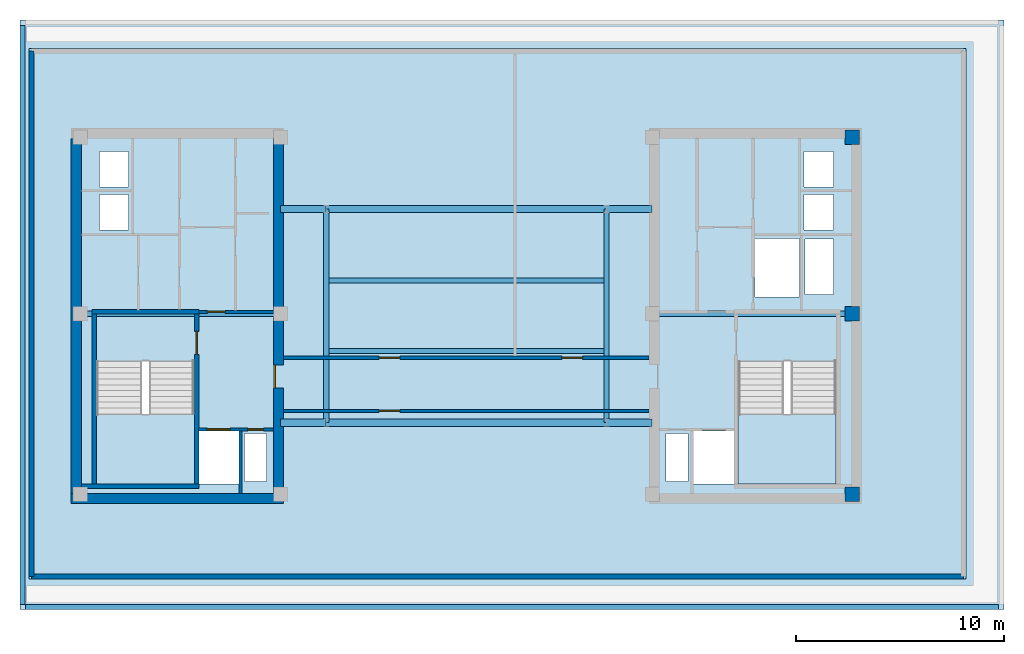
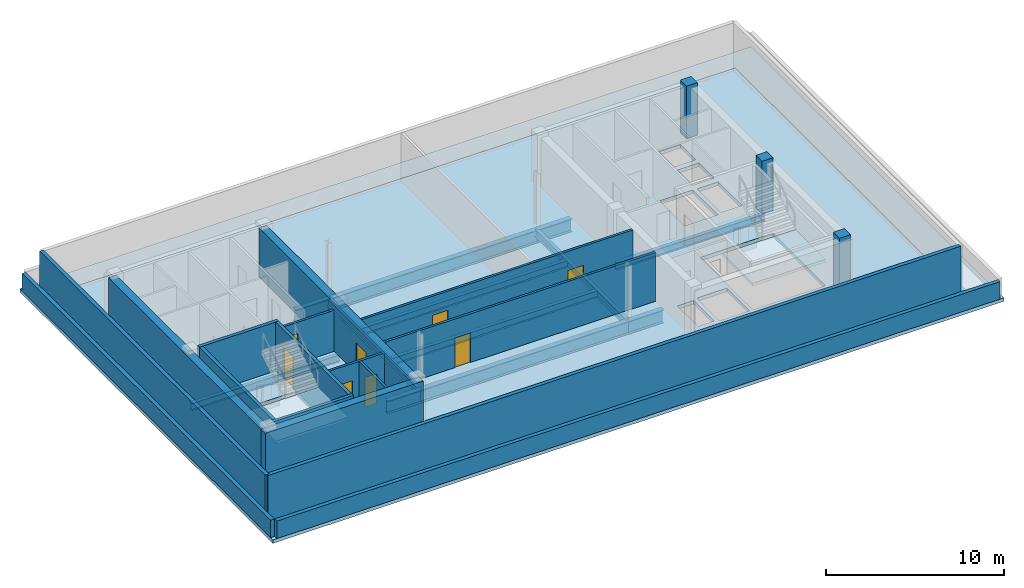
# One storey, part 2 of 7: 16 walls, 12 beams, 8 doors, 4 slabs, 3 columns, 8 openings, 2 elements without a shape of their own.
"""IFC4 building model written with IfcOpenShell, lengths in metres."""

from ifc_helpers import new_model, si_unit, direction, frame, frame_2d, origin, origin_2d, place, context, subcontext, project, spatial, polyline, rectangle, i_section, outline, extrude, material, layer, layer_set, material_profile, profile_set, type_object, element, fill, aggregate, save


model = new_model("IFC4")

# Units and contexts
model_context = context("Model", 3, precision=1e-05, world=origin(), true_north=direction((0.0, 1.0)))
body_context = subcontext(model_context, "Body", "Model", "MODEL_VIEW")
ifc_project = project(units=[si_unit("LENGTHUNIT", "METRE"), si_unit("AREAUNIT", "SQUARE_METRE"), si_unit("VOLUMEUNIT", "CUBIC_METRE"), si_unit("PLANEANGLEUNIT", "RADIAN"), si_unit("MASSUNIT", "GRAM", prefix="KILO")], contexts=[model_context])

# Site, building, storey
site_placement = place(None, origin())
site = spatial("IfcSite", under=ifc_project, at=site_placement, CompositionType="ELEMENT")
building_placement = place(site_placement, origin())
building = spatial("IfcBuilding", under=site, at=building_placement, Name="Velakula Bourse", CompositionType="ELEMENT")
storey_placement = place(building_placement, frame((0.0, 0.0, 294.14990234375)))
storey = spatial("IfcBuildingStorey", under=building, at=storey_placement, Name="L80", CompositionType="ELEMENT", Elevation=294.14990234375)

# Columns
ifc_material_1 = material(Name="Concrete M50 (fck 50 MPa)", Category="concrete")
ifc_material_profile_1 = material_profile(ifc_material_1, rectangle(XDim=0.699951171875, YDim=0.699951171875, at=origin_2d()), Name="Concrete M50 (fck 50 MPa)")
ifc_profile_set_1 = profile_set([ifc_material_profile_1], Name="Concrete M50 (fck 50 MPa)")
column_type = type_object("IfcColumnType", Name="COL-RC-700", PredefinedType="COLUMN", material=ifc_profile_set_1)
for number, where, z_axis, x_axis, name in (
    (1, (18.60009765625, -8.60009765625, 0.0), (0.0, 0.0, 1.0), (1.0, 0.0, 0.0), "L80 Core Boundary Column 10"),
    (2, (18.60009765625, 0.10009765625, 0.0), (0.0, 0.0, 1.0), (1.0, 0.0, 0.0), "L80 Core Boundary Column 11"),
    (3, (18.60009765625, 8.60009765625, 0.0), (0.0, 0.0, 1.0), (1.0, 0.0, 0.0), "L80 Core Boundary Column 12"),
):
    element("IfcColumn", number, at=place(storey_placement, frame(where, z_axis=z_axis, x_axis=x_axis)), inside=storey, type_object=column_type, Name=name, PredefinedType="COLUMN", context=body_context, shape_type="SweptSolid", body=[
        extrude(rectangle(XDim=0.699951171875, YDim=0.699951171875, at=origin_2d()), origin(), (0.0, 0.0, 1.0), 3.60009765625),
    ])

# Beams
ifc_material_2 = material(Name="Steel IS 2062 Grade 350 (E350)", Category="steel")
ifc_material_profile_2 = material_profile(ifc_material_2, i_section(OverallWidth=0.25, OverallDepth=0.5, WebThickness=0.010009765625, FlangeThickness=0.0146484375, at=origin_2d()), Name="Steel IS 2062 Grade 350 (E350)")
ifc_profile_set_2 = profile_set([ifc_material_profile_2], Name="Steel IS 2062 Grade 350 (E350)")
beam_type_1 = type_object("IfcBeamType", Name="BM-EDG-500", PredefinedType="BEAM", material=ifc_profile_set_2)
for number, where, z_axis, x_axis, name in (
    (4, (-18.60009765625, 0.10009765625, -0.5), (1.0, 0.0, 0.0), (0.0, 1.0, 0.0), "L80 Primary Backbone Girder CRW-M"),
    (5, (8.949951171875, 0.10009765625, -0.5), (1.0, 0.0, 0.0), (0.0, 1.0, 0.0), "L80 Primary Backbone Girder CRE-M"),
):
    element("IfcBeam", number, at=place(storey_placement, frame(where, z_axis=z_axis, x_axis=x_axis)), inside=storey, type_object=beam_type_1, Name=name, PredefinedType="BEAM", context=body_context, shape_type="SweptSolid", body=[
        extrude(i_section(OverallWidth=0.25, OverallDepth=0.5, WebThickness=0.010009765625, FlangeThickness=0.0146484375, at=origin_2d()), origin(), (0.0, 0.0, 1.0), 9.650146484375),
    ])
for number, where, z_axis, x_axis, name in (
    (6, (-6.75, -5.14990234375, -0.5), (0.0, 1.0, 0.0), (-1.0, 0.0, 0.0), "L80 Primary Backbone Girder SPN-W"),
    (7, (6.75, -5.14990234375, -0.5), (0.0, 1.0, 0.0), (-1.0, 0.0, 0.0), "L80 Primary Backbone Girder SPN-E"),
):
    element("IfcBeam", number, at=place(storey_placement, frame(where, z_axis=z_axis, x_axis=x_axis)), inside=storey, type_object=beam_type_1, Name=name, PredefinedType="BEAM", context=body_context, shape_type="SweptSolid", body=[
        extrude(i_section(OverallWidth=0.25, OverallDepth=0.5, WebThickness=0.010009765625, FlangeThickness=0.0146484375, at=origin_2d()), origin(), (0.0, 0.0, 1.0), 10.2998046875),
    ])
for number, where, z_axis, x_axis, name in (
    (8, (-6.75, -1.699951171875, -0.5), (1.0, 0.0, 0.0), (0.0, 1.0, 0.0), "L80 Crown Mechanical Floor Girder 1"),
    (9, (-6.75, 1.699951171875, -0.5), (1.0, 0.0, 0.0), (0.0, 1.0, 0.0), "L80 Crown Mechanical Floor Girder 2"),
):
    element("IfcBeam", number, at=place(storey_placement, frame(where, z_axis=z_axis, x_axis=x_axis)), inside=storey, type_object=beam_type_1, Name=name, PredefinedType="BEAM", context=body_context, shape_type="SweptSolid", body=[
        extrude(i_section(OverallWidth=0.25, OverallDepth=0.5, WebThickness=0.010009765625, FlangeThickness=0.0146484375, at=origin_2d()), origin(), (0.0, 0.0, 1.0), 13.5),
    ])
ifc_material_profile_3 = material_profile(ifc_material_2, i_section(OverallWidth=0.35009765625, OverallDepth=0.89990234375, WebThickness=0.02001953125, FlangeThickness=0.031982421875, at=origin_2d()), Name="Steel IS 2062 Grade 350 (E350)")
ifc_profile_set_3 = profile_set([ifc_material_profile_3], Name="Steel IS 2062 Grade 350 (E350)")
beam_type_2 = type_object("IfcBeamType", Name="BM-LNK-900", PredefinedType="BEAM", material=ifc_profile_set_3)
beam_1_placement = place(storey_placement, frame((-8.949951171875, -5.14990234375, -0.699951171875), z_axis=(1.0, 0.0, 0.0), x_axis=(0.0, 1.0, 0.0)))
element("IfcBeam", 10, at=beam_1_placement, inside=storey, type_object=beam_type_2, Name="L80 Primary Backbone Girder LNK-S1", PredefinedType="BEAM", context=body_context, shape_type="SweptSolid", body=[
    extrude(i_section(OverallWidth=0.35009765625, OverallDepth=0.89990234375, WebThickness=0.02001953125, FlangeThickness=0.031982421875, at=origin_2d()), origin(), (0.0, 0.0, 1.0), 2.199951171875),
])
beam_2_placement = place(storey_placement, frame((-6.75, -5.14990234375, -0.699951171875), z_axis=(1.0, 0.0, 0.0), x_axis=(0.0, 1.0, 0.0)))
element("IfcBeam", 11, at=beam_2_placement, inside=storey, type_object=beam_type_2, Name="L80 Primary Backbone Girder LNK-S2", PredefinedType="BEAM", context=body_context, shape_type="SweptSolid", body=[
    extrude(i_section(OverallWidth=0.35009765625, OverallDepth=0.89990234375, WebThickness=0.02001953125, FlangeThickness=0.031982421875, at=origin_2d()), origin(), (0.0, 0.0, 1.0), 13.5),
])
for number, where, z_axis, x_axis, name in (
    (12, (6.75, -5.14990234375, -0.699951171875), (1.0, 0.0, 0.0), (0.0, 1.0, 0.0), "L80 Primary Backbone Girder LNK-S3"),
    (13, (-8.949951171875, 5.14990234375, -0.699951171875), (1.0, 0.0, 0.0), (0.0, 1.0, 0.0), "L80 Primary Backbone Girder LNK-N1"),
):
    element("IfcBeam", number, at=place(storey_placement, frame(where, z_axis=z_axis, x_axis=x_axis)), inside=storey, type_object=beam_type_2, Name=name, PredefinedType="BEAM", context=body_context, shape_type="SweptSolid", body=[
        extrude(i_section(OverallWidth=0.35009765625, OverallDepth=0.89990234375, WebThickness=0.02001953125, FlangeThickness=0.031982421875, at=origin_2d()), origin(), (0.0, 0.0, 1.0), 2.199951171875),
    ])
beam_3_placement = place(storey_placement, frame((-6.75, 5.14990234375, -0.699951171875), z_axis=(1.0, 0.0, 0.0), x_axis=(0.0, 1.0, 0.0)))
element("IfcBeam", 14, at=beam_3_placement, inside=storey, type_object=beam_type_2, Name="L80 Primary Backbone Girder LNK-N2", PredefinedType="BEAM", context=body_context, shape_type="SweptSolid", body=[
    extrude(i_section(OverallWidth=0.35009765625, OverallDepth=0.89990234375, WebThickness=0.02001953125, FlangeThickness=0.031982421875, at=origin_2d()), origin(), (0.0, 0.0, 1.0), 13.5),
])
beam_4_placement = place(storey_placement, frame((6.75, 5.14990234375, -0.699951171875), z_axis=(1.0, 0.0, 0.0), x_axis=(0.0, 1.0, 0.0)))
element("IfcBeam", 15, at=beam_4_placement, inside=storey, type_object=beam_type_2, Name="L80 Primary Backbone Girder LNK-N3", PredefinedType="BEAM", context=body_context, shape_type="SweptSolid", body=[
    extrude(i_section(OverallWidth=0.35009765625, OverallDepth=0.89990234375, WebThickness=0.02001953125, FlangeThickness=0.031982421875, at=origin_2d()), origin(), (0.0, 0.0, 1.0), 2.199951171875),
])

# Slabs
ifc_layer_1 = layer(ifc_material_1, 0.239990234375, Name="Concrete M50 (fck 50 MPa)", Category="concrete")
ifc_layer_set_1 = layer_set([ifc_layer_1], Name="Concrete M50 (fck 50 MPa)")
slab_type_1 = type_object("IfcSlabType", Name="SLB-CRN-ROOF-240", PredefinedType="ROOF", material=ifc_layer_set_1)
slab_1_placement = place(storey_placement, frame((0.0, 0.0, -0.239990234375)))
element("IfcSlab", 16, at=slab_1_placement, inside=storey, type_object=slab_type_1, Name="L80 Crown Step 3 Closed Roof", PredefinedType="ROOF", context=body_context, shape_type="SweptSolid", body=[
    extrude(outline(polyline([(-21.5, 14.25), (25.89990234375, 14.25), (25.89990234375, -14.14990234375), (-21.5, -14.14990234375), (-21.5, 14.25)]), holes=[polyline([(24.080078125, -12.679931640625), (24.080078125, 12.8798828125), (-21.080078125, 12.8798828125), (-21.080078125, -12.679931640625), (24.080078125, -12.679931640625)])]), origin(), (0.0, 0.0, 1.0), 0.239990234375),
])
ifc_layer_2 = layer(ifc_material_1, 0.25, Name="Concrete M50 (fck 50 MPa)", Category="concrete")
ifc_layer_set_2 = layer_set([ifc_layer_2], Name="Concrete M50 (fck 50 MPa)")
slab_type_2 = type_object("IfcSlabType", Name="SLB-POD-250", PredefinedType="FLOOR", material=ifc_layer_set_2)
slab_2_placement = place(storey_placement, frame((0.0, 0.0, -0.25)))
element("IfcSlab", 17, at=slab_2_placement, inside=storey, type_object=slab_type_2, Name="L80 Suspended Structural Floor Slab", PredefinedType="FLOOR", context=body_context, shape_type="SweptSolid", body=[
    extrude(outline(polyline([(-21.10009765625, -12.699951171875), (24.10009765625, -12.699951171875), (24.10009765625, 12.89990234375), (-21.10009765625, 12.89990234375), (-21.10009765625, -12.699951171875)]), holes=[polyline([(-17.820068359375, -8.10009765625), (-13.10009765625, -8.10009765625), (-13.10009765625, -2.199951171875), (-17.820068359375, -2.199951171875), (-17.820068359375, -8.10009765625)]), polyline([(13.10009765625, -8.10009765625), (17.820068359375, -8.10009765625), (17.820068359375, -2.199951171875), (13.10009765625, -2.199951171875), (13.10009765625, -8.10009765625)]), polyline([(-12.89990234375, -8.10009765625), (-10.949951171875, -8.10009765625), (-10.949951171875, -5.550048828125), (-12.89990234375, -5.550048828125), (-12.89990234375, -8.10009765625)]), polyline([(10.949951171875, -8.10009765625), (12.89990234375, -8.10009765625), (12.89990234375, -5.550048828125), (10.949951171875, -5.550048828125), (10.949951171875, -8.10009765625)]), polyline([(13.89990234375, 0.919921875), (16.050048828125, 0.919921875), (16.050048828125, 3.719970703125), (13.89990234375, 3.719970703125), (13.89990234375, 0.919921875)]), polyline([(-10.679931640625, -7.97998046875), (-9.6201171875, -7.97998046875), (-9.6201171875, -5.669921875), (-10.679931640625, -5.669921875), (-10.679931640625, -7.97998046875)]), polyline([(-17.679931640625, 4.139892578125), (-16.27001953125, 4.139892578125), (-16.27001953125, 5.85009765625), (-17.679931640625, 5.85009765625), (-17.679931640625, 4.139892578125)]), polyline([(-17.679931640625, 6.2099609375), (-16.27001953125, 6.2099609375), (-16.27001953125, 7.919921875), (-17.679931640625, 7.919921875), (-17.679931640625, 6.2099609375)]), polyline([(9.6201171875, -7.97998046875), (10.679931640625, -7.97998046875), (10.679931640625, -5.669921875), (9.6201171875, -5.669921875), (9.6201171875, -7.97998046875)]), polyline([(16.27001953125, 4.139892578125), (17.679931640625, 4.139892578125), (17.679931640625, 5.85009765625), (16.27001953125, 5.85009765625), (16.27001953125, 4.139892578125)]), polyline([(16.27001953125, 6.2099609375), (17.679931640625, 6.2099609375), (17.679931640625, 7.919921875), (16.27001953125, 7.919921875), (16.27001953125, 6.2099609375)]), polyline([(16.320068359375, 1.0400390625), (17.679931640625, 1.0400390625), (17.679931640625, 3.699951171875), (16.320068359375, 3.699951171875), (16.320068359375, 1.0400390625)])]), origin(), (0.0, 0.0, 1.0), 0.25),
])

# Stair, slab
ifc_material_3 = material(Name="Concrete M45 (fck 45 MPa)", Category="concrete")
stair_type = type_object("IfcStairType", Name="STR-DOG-390", PredefinedType="HALF_TURN_STAIR", material=ifc_material_3)
stair_1_placement = place(storey_placement, origin())
stair_1 = element("IfcStair", 18, at=stair_1_placement, inside=storey, type_object=stair_type, Name="L80 West Core Exit Stair ST-W1", PredefinedType="HALF_TURN_STAIR")
ifc_layer_3 = layer(ifc_material_3, 0.199951171875, Name="Concrete M45 (fck 45 MPa)", Category="concrete")
ifc_layer_set_3 = layer_set([ifc_layer_3], Name="Concrete M45 (fck 45 MPa)")
slab_type_3 = type_object("IfcSlabType", Name="SLB-STAIR-LND-200", PredefinedType="LANDING", material=ifc_layer_set_3)
slab_3_placement = place(storey_placement, frame((0.0, 0.0, 1.60009765625)))
slab_3 = element("IfcSlab", 19, at=slab_3_placement, type_object=slab_type_3, Name="ST-W1 landing 1", PredefinedType="LANDING", context=body_context, shape_type="SweptSolid", body=[
    extrude(outline(polyline([(-17.820068359375, -4.719970703125), (-17.820068359375, -8.10009765625), (-13.10009765625, -8.10009765625), (-13.10009765625, -4.719970703125), (-17.820068359375, -4.719970703125)])), origin(), (0.0, 0.0, 1.0), 0.199951171875),
])
aggregate(stair_1, [slab_3])

stair_2_placement = place(storey_placement, origin())
stair_2 = element("IfcStair", 20, at=stair_2_placement, inside=storey, type_object=stair_type, Name="L80 East Core Exit Stair ST-E1", PredefinedType="HALF_TURN_STAIR")
slab_4_placement = place(storey_placement, frame((0.0, 0.0, 1.60009765625)))
slab_4 = element("IfcSlab", 21, at=slab_4_placement, type_object=slab_type_3, Name="ST-E1 landing 1", PredefinedType="LANDING", context=body_context, shape_type="SweptSolid", body=[
    extrude(outline(polyline([(13.10009765625, -4.719970703125), (13.10009765625, -8.10009765625), (17.820068359375, -8.10009765625), (17.820068359375, -4.719970703125), (13.10009765625, -4.719970703125)])), origin(), (0.0, 0.0, 1.0), 0.199951171875),
])
aggregate(stair_2, [slab_4])

# Wall, opening, door
ifc_layer_4 = layer(ifc_material_1, 0.2099609375, Name="Concrete M50 (fck 50 MPa)", Category="concrete")
ifc_layer_set_4 = layer_set([ifc_layer_4], Name="Concrete M50 (fck 50 MPa)")
wall_type_1 = type_object("IfcWallType", Name="WL-CORE-210", PredefinedType="SHEAR", material=ifc_layer_set_4)
wall_1_placement = place(storey_placement, frame((-12.9951171875, -8.10009765625, 0.0), z_axis=(0.0, 0.0, 1.0), x_axis=(0.0, 1.0, 0.0)))
wall_1 = element("IfcWall", 22, at=wall_1_placement, inside=storey, type_object=wall_type_1, Name="L80 Core W Stairwell Shear Wall IN", PredefinedType="SHEAR", context=body_context, shape_type="SweptSolid", body=[
    extrude(rectangle(XDim=8.2001953125, YDim=0.2099609375, at=frame_2d((4.10009765625, 0.0))), origin(), (0.0, 0.0, 1.0), 3.35009765625),
])
opening_1_placement = place(wall_1_placement, frame((6.25, 0.0, 0.0)))
opening_1 = element("IfcOpeningElement", 23, at=opening_1_placement, cuts=wall_1, Name="Opening D-STW1", PredefinedType="OPENING", context=body_context, shape_type="SweptSolid", body=[
    extrude(rectangle(XDim=1.10009765625, YDim=2.14990234375, at=frame_2d((0.550048828125, 1.074951171875))), frame((0.0, 0.114990234375, 0.0), z_axis=(0.0, -1.0, 0.0), x_axis=(1.0, 0.0, 0.0)), (0.0, 0.0, 1.0), 0.22998046875),
])
ifc_material_4 = material(Name="Galvanised painted hollow steel fire door", Category="steel")
door_type_1 = type_object("IfcDoorType", Name="DR-FD120-1100x2150", OperationType="NOTDEFINED", PredefinedType="DOOR", material=ifc_material_4)
door_1_placement = place(opening_1_placement, origin())
door_1 = element("IfcDoor", 24, at=door_1_placement, inside=storey, type_object=door_type_1, Name="L80 Stair ST-W1 Fire Door", OperationType="SINGLE_SWING_LEFT", OverallHeight=2.14990234375, OverallWidth=1.10009765625, PredefinedType="DOOR", context=body_context, shape_type="SweptSolid", body=[
    extrude(rectangle(XDim=1.10009765625, YDim=2.14990234375, at=frame_2d((0.550048828125, 1.074951171875))), frame((0.0, 0.02490234375, 0.0), z_axis=(0.0, -1.0, 0.0), x_axis=(1.0, 0.0, 0.0)), (0.0, 0.0, 1.0), 0.050048828125),
])
fill(opening_1, door_1)

# Walls
wall_2_placement = place(storey_placement, frame((-17.925048828125, -8.10009765625, 0.0), z_axis=(0.0, 0.0, 1.0), x_axis=(0.0, 1.0, 0.0)))
element("IfcWall", 25, at=wall_2_placement, inside=storey, type_object=wall_type_1, Name="L80 Core W Stairwell Shear Wall OUT", PredefinedType="SHEAR", context=body_context, shape_type="SweptSolid", body=[
    extrude(rectangle(XDim=8.2001953125, YDim=0.2099609375, at=frame_2d((4.10009765625, 0.0))), origin(), (0.0, 0.0, 1.0), 3.35009765625),
])
wall_3_placement = place(storey_placement, frame((-18.550048828125, -8.205078125, 0.0), z_axis=(0.0, 0.0, 1.0), x_axis=(1.0, 0.0, 0.0)))
element("IfcWall", 26, at=wall_3_placement, inside=storey, type_object=wall_type_1, Name="L80 Core W Stairwell Shear Wall S", PredefinedType="SHEAR", context=body_context, shape_type="SweptSolid", body=[
    extrude(rectangle(XDim=5.66015625, YDim=0.2099609375, at=frame_2d((2.830078125, 0.0))), origin(), (0.0, 0.0, 1.0), 3.35009765625),
])
wall_4_placement = place(storey_placement, frame((-12.889892578125, 0.205078125, 0.0), z_axis=(0.0, 0.0, 1.0), x_axis=(-1.0, 0.0, 0.0)))
element("IfcWall", 27, at=wall_4_placement, inside=storey, type_object=wall_type_1, Name="L80 Core W Stairwell Shear Wall N", PredefinedType="SHEAR", context=body_context, shape_type="SweptSolid", body=[
    extrude(rectangle(XDim=5.14013671875, YDim=0.2099609375, at=frame_2d((2.570068359375, 0.0))), origin(), (0.0, 0.0, 1.0), 3.35009765625),
])
ifc_layer_5 = layer(ifc_material_1, 0.5, Name="Concrete M50 (fck 50 MPa)", Category="concrete")
ifc_layer_set_5 = layer_set([ifc_layer_5], Name="Concrete M50 (fck 50 MPa)")
wall_type_2 = type_object("IfcWallType", Name="WL-CORE-500", PredefinedType="SHEAR", material=ifc_layer_set_5)
wall_5_placement = place(storey_placement, frame((-19.050048828125, -8.800048828125, 0.0), z_axis=(0.0, 0.0, 1.0), x_axis=(1.0, 0.0, 0.0)))
element("IfcWall", 28, at=wall_5_placement, inside=storey, type_object=wall_type_2, Name="L80 Core W Shear Wall S", PredefinedType="SHEAR", context=body_context, shape_type="SweptSolid", body=[
    extrude(rectangle(XDim=10.25, YDim=0.5, at=frame_2d((5.125, 0.0))), origin(), (0.0, 0.0, 1.0), 3.35009765625),
])
wall_6_placement = place(storey_placement, frame((-18.800048828125, -8.550048828125, 0.0), z_axis=(0.0, 0.0, 1.0), x_axis=(0.0, 1.0, 0.0)))
element("IfcWall", 29, at=wall_6_placement, inside=storey, type_object=wall_type_2, Name="L80 Core W Shear Wall W", PredefinedType="SHEAR", context=body_context, shape_type="SweptSolid", body=[
    extrude(rectangle(XDim=17.10009765625, YDim=0.5, at=frame_2d((8.550048828125, 0.0))), origin(), (0.0, 0.0, 1.0), 3.35009765625),
])

# Wall, opening, door
wall_7_placement = place(storey_placement, frame((-9.050048828125, -8.550048828125, 0.0), z_axis=(0.0, 0.0, 1.0), x_axis=(0.0, 1.0, 0.0)))
wall_7 = element("IfcWall", 30, at=wall_7_placement, inside=storey, type_object=wall_type_2, Name="L80 Core W Shear Wall E", PredefinedType="SHEAR", context=body_context, shape_type="SweptSolid", body=[
    extrude(rectangle(XDim=17.10009765625, YDim=0.5, at=frame_2d((8.550048828125, 0.0))), origin(), (0.0, 0.0, 1.0), 3.35009765625),
])
opening_2_placement = place(wall_7_placement, frame((5.080078125, 0.0, 0.0)))
opening_2 = element("IfcOpeningElement", 31, at=opening_2_placement, cuts=wall_7, Name="Opening D-FLW", PredefinedType="OPENING", context=body_context, shape_type="SweptSolid", body=[
    extrude(rectangle(XDim=1.10009765625, YDim=2.080078125, at=frame_2d((0.550048828125, 1.0400390625))), frame((0.0, 0.260009765625, 0.0), z_axis=(0.0, -1.0, 0.0), x_axis=(1.0, 0.0, 0.0)), (0.0, 0.0, 1.0), 0.52001953125),
])
door_type_2 = type_object("IfcDoorType", Name="DR-FD120-1100", OperationType="NOTDEFINED", PredefinedType="DOOR", material=ifc_material_4)
door_2_placement = place(opening_2_placement, origin())
door_2 = element("IfcDoor", 32, at=door_2_placement, inside=storey, type_object=door_type_2, Name="L80 Firefighting Lobby W Corridor Fire Door", OperationType="SINGLE_SWING_LEFT", OverallHeight=2.080078125, OverallWidth=1.10009765625, PredefinedType="DOOR", context=body_context, shape_type="SweptSolid", body=[
    extrude(rectangle(XDim=1.10009765625, YDim=2.080078125, at=frame_2d((0.550048828125, 1.0400390625))), frame((0.0, 0.205078125, 0.0), z_axis=(0.0, -1.0, 0.0), x_axis=(1.0, 0.0, 0.0)), (0.0, 0.0, 1.0), 0.050048828125),
])
fill(opening_2, door_2)

# Walls
ifc_material_5 = material(Name="Buff kilned clay facing brick masonry", Category="masonry")
ifc_layer_6 = layer(ifc_material_5, 0.239990234375, Name="Buff kilned clay facing brick masonry", Category="masonry")
ifc_layer_set_6 = layer_set([ifc_layer_6], Name="Buff kilned clay facing brick masonry")
wall_type_3 = type_object("IfcWallType", Name="WL-EXT-CRN-240", PredefinedType="STANDARD", material=ifc_layer_set_6)
wall_8_placement = place(storey_placement, frame((-20.9599609375, -12.56005859375, 0.0), z_axis=(0.0, 0.0, 1.0), x_axis=(1.0, 0.0, 0.0)))
element("IfcWall", 33, at=wall_8_placement, inside=storey, type_object=wall_type_3, Name="L80 Crown Brick Acoustic Wall S", PredefinedType="STANDARD", context=body_context, shape_type="SweptSolid", body=[
    extrude(rectangle(XDim=44.919921875, YDim=0.239990234375, at=frame_2d((22.4599609375, 0.0))), origin(), (0.0, 0.0, 1.0), 3.330078125),
])
wall_9_placement = place(storey_placement, frame((-20.9599609375, 12.760009765625, 0.0), z_axis=(0.0, 0.0, 1.0), x_axis=(0.0, -1.0, 0.0)))
element("IfcWall", 34, at=wall_9_placement, inside=storey, type_object=wall_type_3, Name="L80 Crown Brick Acoustic Wall W", PredefinedType="STANDARD", context=body_context, shape_type="SweptSolid", body=[
    extrude(rectangle(XDim=25.320068359375, YDim=0.239990234375, at=frame_2d((12.66015625, 0.0))), origin(), (0.0, 0.0, 1.0), 3.330078125),
])
ifc_layer_7 = layer(ifc_material_5, 0.25, Name="Buff kilned clay facing brick masonry", Category="masonry")
ifc_layer_set_7 = layer_set([ifc_layer_7], Name="Buff kilned clay facing brick masonry")
wall_type_4 = type_object("IfcWallType", Name="WL-PAR-ROOF-250", PredefinedType="PARAPET", material=ifc_layer_set_7)
wall_10_placement = place(storey_placement, frame((25.64990234375, -14.030029296875, 0.0), z_axis=(0.0, 0.0, 1.0), x_axis=(-1.0, 0.0, 0.0)))
element("IfcWall", 35, at=wall_10_placement, inside=storey, type_object=wall_type_4, Name="L80 Closed Roof Perimeter Parapet 3", PredefinedType="PARAPET", context=body_context, shape_type="SweptSolid", body=[
    extrude(rectangle(XDim=46.89990234375, YDim=0.25, at=frame_2d((23.449951171875, 0.0))), origin(), (0.0, 0.0, 1.0), 1.2001953125),
])
wall_11_placement = place(storey_placement, frame((-21.3798828125, -13.89990234375, 0.0), z_axis=(0.0, 0.0, 1.0), x_axis=(0.0, 1.0, 0.0)))
element("IfcWall", 36, at=wall_11_placement, inside=storey, type_object=wall_type_4, Name="L80 Closed Roof Perimeter Parapet 4", PredefinedType="PARAPET", context=body_context, shape_type="SweptSolid", body=[
    extrude(rectangle(XDim=27.89990234375, YDim=0.25, at=frame_2d((13.949951171875, 0.0))), origin(), (0.0, 0.0, 1.0), 1.2001953125),
])

# Wall, openings, doors
ifc_material_6 = material(Name="Autoclaved aerated concrete blockwork masonry", Category="masonry")
ifc_layer_8 = layer(ifc_material_6, 0.14990234375, Name="Autoclaved aerated concrete blockwork masonry", Category="masonry")
ifc_layer_set_8 = layer_set([ifc_layer_8], Name="Autoclaved aerated concrete blockwork masonry")
wall_type_5 = type_object("IfcWallType", Name="WL-SHAFT-150", PredefinedType="STANDARD", material=ifc_layer_set_8)
wall_12_placement = place(storey_placement, frame((-12.89501953125, -5.47509765625, 0.0), z_axis=(0.0, 0.0, 1.0), x_axis=(1.0, 0.0, 0.0)))
wall_12 = element("IfcWall", 37, at=wall_12_placement, inside=storey, type_object=wall_type_5, Name="L80 Interior Partition WL-CRW-L80-FFL-N", PredefinedType="STANDARD", context=body_context, shape_type="SweptSolid", body=[
    extrude(rectangle(XDim=3.594970703125, YDim=0.14990234375, at=frame_2d((1.79736328125, 0.0))), origin(), (0.0, 0.0, 1.0), 3.330078125),
])
opening_3_placement = place(wall_12_placement, frame((0.419921875, 0.0, 0.0)))
opening_3 = element("IfcOpeningElement", 38, at=opening_3_placement, cuts=wall_12, Name="Opening LD-FFL-1", PredefinedType="OPENING", context=body_context, shape_type="SweptSolid", body=[
    extrude(rectangle(XDim=1.10009765625, YDim=2.14990234375, at=frame_2d((0.550048828125, 1.074951171875))), frame((0.0, 0.0849609375, 0.0), z_axis=(0.0, -1.0, 0.0), x_axis=(1.0, 0.0, 0.0)), (0.0, 0.0, 1.0), 0.169921875),
])
opening_4_placement = place(wall_12_placement, frame((2.3701171875, 0.0, 0.0)))
opening_4 = element("IfcOpeningElement", 39, at=opening_4_placement, cuts=wall_12, Name="Opening D-RS1", PredefinedType="OPENING", context=body_context, shape_type="SweptSolid", body=[
    extrude(rectangle(XDim=0.75, YDim=2.050048828125, at=frame_2d((0.375, 1.02490234375))), frame((0.0, 0.0849609375, 0.0), z_axis=(0.0, -1.0, 0.0), x_axis=(1.0, 0.0, 0.0)), (0.0, 0.0, 1.0), 0.169921875),
])
door_type_3 = type_object("IfcDoorType", Name="DR-RISER-800", OperationType="NOTDEFINED", PredefinedType="DOOR", material=ifc_material_4)
door_3_placement = place(opening_4_placement, origin())
door_3 = element("IfcDoor", 40, at=door_3_placement, inside=storey, type_object=door_type_3, Name="L80 Fire Riser Access Door", OperationType="SINGLE_SWING_RIGHT", OverallHeight=2.050048828125, OverallWidth=0.75, PredefinedType="DOOR", context=body_context, shape_type="SweptSolid", body=[
    extrude(rectangle(XDim=0.75, YDim=2.050048828125, at=frame_2d((0.375, 1.02490234375))), frame((0.0, 0.02490234375, 0.0), z_axis=(0.0, -1.0, 0.0), x_axis=(1.0, 0.0, 0.0)), (0.0, 0.0, 1.0), 0.050048828125),
])
fill(opening_4, door_3)
ifc_material_7 = material(Name="Brushed grade 316 stainless steel", Category="steel")
door_type_4 = type_object("IfcDoorType", Name="DR-SLIDE-FFL-1100", OperationType="DOUBLE_DOOR_SLIDING", PredefinedType="DOOR", material=ifc_material_7)
door_4_placement = place(opening_3_placement, origin())
door_4 = element("IfcDoor", 41, at=door_4_placement, inside=storey, type_object=door_type_4, Name="L80 Firefighting Lift FFL-1 Sliding Landing Door", OperationType="DOUBLE_DOOR_SLIDING", OverallHeight=2.14990234375, OverallWidth=1.10009765625, PredefinedType="DOOR", context=body_context, shape_type="SweptSolid", body=[
    extrude(rectangle(XDim=1.10009765625, YDim=2.14990234375, at=frame_2d((0.550048828125, 1.074951171875))), frame((0.0, 0.02490234375, 0.0), z_axis=(0.0, -1.0, 0.0), x_axis=(1.0, 0.0, 0.0)), (0.0, 0.0, 1.0), 0.050048828125),
])
fill(opening_3, door_4)

# Wall
wall_13_placement = place(storey_placement, frame((-10.875, -8.550048828125, 0.0), z_axis=(0.0, 0.0, 1.0), x_axis=(0.0, 1.0, 0.0)))
element("IfcWall", 42, at=wall_13_placement, inside=storey, type_object=wall_type_5, Name="L80 Interior Partition WL-CRW-L80-FR-DIV", PredefinedType="STANDARD", context=body_context, shape_type="SweptSolid", body=[
    extrude(rectangle(XDim=3.0, YDim=0.14990234375, at=frame_2d((1.5, 0.0))), origin(), (0.0, 0.0, 1.0), 3.330078125),
])

# Wall, opening, door
wall_14_placement = place(storey_placement, frame((-12.889892578125, 0.18994140625, 0.0), z_axis=(0.0, 0.0, 1.0), x_axis=(1.0, 0.0, 0.0)))
wall_14 = element("IfcWall", 43, at=wall_14_placement, inside=storey, type_object=wall_type_5, Name="L80 Interior Partition WL-CRW-L80-FF-TOP", PredefinedType="STANDARD", context=body_context, shape_type="SweptSolid", body=[
    extrude(rectangle(XDim=3.58984375, YDim=0.14990234375, at=frame_2d((1.794921875, 0.0))), origin(), (0.0, 0.0, 1.0), 2.8251953125),
])
opening_5_placement = place(wall_14_placement, frame((0.4150390625, 0.0, 0.0)))
opening_5 = element("IfcOpeningElement", 44, at=opening_5_placement, cuts=wall_14, Name="Opening D-FC1", PredefinedType="OPENING", context=body_context, shape_type="SweptSolid", body=[
    extrude(rectangle(XDim=0.85009765625, YDim=2.0400390625, at=frame_2d((0.425048828125, 1.02001953125))), frame((0.0, 0.0849609375, 0.0), z_axis=(0.0, -1.0, 0.0), x_axis=(1.0, 0.0, 0.0)), (0.0, 0.0, 1.0), 0.169921875),
])
door_type_5 = type_object("IfcDoorType", Name="DR-FD120-850", OperationType="NOTDEFINED", PredefinedType="DOOR", material=ifc_material_4)
door_5_placement = place(opening_5_placement, origin())
door_5 = element("IfcDoor", 45, at=door_5_placement, inside=storey, type_object=door_type_5, Name="L80 Firefighting Lobby Link Fire Door", OperationType="SINGLE_SWING_RIGHT", OverallHeight=2.0400390625, OverallWidth=0.85009765625, PredefinedType="DOOR", context=body_context, shape_type="SweptSolid", body=[
    extrude(rectangle(XDim=0.85009765625, YDim=2.0400390625, at=frame_2d((0.425048828125, 1.02001953125))), frame((0.0, 0.02490234375, 0.0), z_axis=(0.0, -1.0, 0.0), x_axis=(1.0, 0.0, 0.0)), (0.0, 0.0, 1.0), 0.050048828125),
])
fill(opening_5, door_5)

# Wall, openings, doors
wall_15_placement = place(storey_placement, frame((-8.800048828125, -2.02001953125, 0.0), z_axis=(0.0, 0.0, 1.0), x_axis=(1.0, 0.0, 0.0)))
wall_15 = element("IfcWall", 46, at=wall_15_placement, inside=storey, type_object=wall_type_5, Name="L80 Interior Partition WL-CRN-L80-N", PredefinedType="STANDARD", context=body_context, shape_type="SweptSolid", body=[
    extrude(rectangle(XDim=17.60009765625, YDim=0.14990234375, at=frame_2d((8.800048828125, 0.0))), origin(), (0.0, 0.0, 1.0), 3.330078125),
])
opening_6_placement = place(wall_15_placement, frame((4.60009765625, 0.0, 0.0)))
opening_6 = element("IfcOpeningElement", 47, at=opening_6_placement, cuts=wall_15, Name="Opening D-CP3", PredefinedType="OPENING", context=body_context, shape_type="SweptSolid", body=[
    extrude(rectangle(XDim=1.0, YDim=2.02001953125, at=frame_2d((0.5, 1.010009765625))), frame((0.0, 0.0849609375, 0.0), z_axis=(0.0, -1.0, 0.0), x_axis=(1.0, 0.0, 0.0)), (0.0, 0.0, 1.0), 0.169921875),
])
opening_7_placement = place(wall_15_placement, frame((13.39990234375, 0.0, 0.0)))
opening_7 = element("IfcOpeningElement", 48, at=opening_7_placement, cuts=wall_15, Name="Opening D-CP3", PredefinedType="OPENING", context=body_context, shape_type="SweptSolid", body=[
    extrude(rectangle(XDim=1.0, YDim=2.02001953125, at=frame_2d((0.5, 1.010009765625))), frame((0.0, 0.0849609375, 0.0), z_axis=(0.0, -1.0, 0.0), x_axis=(1.0, 0.0, 0.0)), (0.0, 0.0, 1.0), 0.169921875),
])
door_type_6 = type_object("IfcDoorType", Name="DR-FD120-1000x2020", OperationType="NOTDEFINED", PredefinedType="DOOR", material=ifc_material_4)
door_6_placement = place(opening_6_placement, origin())
door_6 = element("IfcDoor", 49, at=door_6_placement, inside=storey, type_object=door_type_6, Name="L80 Heat-Recovery AHU Mechanical Plant Room Door", OperationType="SINGLE_SWING_RIGHT", OverallHeight=2.02001953125, OverallWidth=1.0, PredefinedType="DOOR", context=body_context, shape_type="SweptSolid", body=[
    extrude(rectangle(XDim=1.0, YDim=2.02001953125, at=frame_2d((0.5, 1.010009765625))), frame((0.0, 0.02490234375, 0.0), z_axis=(0.0, -1.0, 0.0), x_axis=(1.0, 0.0, 0.0)), (0.0, 0.0, 1.0), 0.050048828125),
])
fill(opening_6, door_6)
door_7_placement = place(opening_7_placement, origin())
door_7 = element("IfcDoor", 50, at=door_7_placement, inside=storey, type_object=door_type_6, Name="L80 Cooling Tower and Water Tank Room Door", OperationType="SINGLE_SWING_RIGHT", OverallHeight=2.02001953125, OverallWidth=1.0, PredefinedType="DOOR", context=body_context, shape_type="SweptSolid", body=[
    extrude(rectangle(XDim=1.0, YDim=2.02001953125, at=frame_2d((0.5, 1.010009765625))), frame((0.0, 0.02490234375, 0.0), z_axis=(0.0, -1.0, 0.0), x_axis=(1.0, 0.0, 0.0)), (0.0, 0.0, 1.0), 0.050048828125),
])
fill(opening_7, door_7)

# Wall, opening, door
wall_16_placement = place(storey_placement, frame((-8.800048828125, -4.580078125, 0.0), z_axis=(0.0, 0.0, 1.0), x_axis=(1.0, 0.0, 0.0)))
wall_16 = element("IfcWall", 51, at=wall_16_placement, inside=storey, type_object=wall_type_5, Name="L80 Interior Partition WL-CRN-L80-S", PredefinedType="STANDARD", context=body_context, shape_type="SweptSolid", body=[
    extrude(rectangle(XDim=17.60009765625, YDim=0.14990234375, at=frame_2d((8.800048828125, 0.0))), origin(), (0.0, 0.0, 1.0), 3.330078125),
])
opening_8_placement = place(wall_16_placement, frame((4.60009765625, 0.0, 0.0)))
opening_8 = element("IfcOpeningElement", 52, at=opening_8_placement, cuts=wall_16, Name="Opening D-CP2", PredefinedType="OPENING", context=body_context, shape_type="SweptSolid", body=[
    extrude(rectangle(XDim=1.0, YDim=2.02001953125, at=frame_2d((0.5, 1.010009765625))), frame((0.0, 0.0849609375, 0.0), z_axis=(0.0, -1.0, 0.0), x_axis=(1.0, 0.0, 0.0)), (0.0, 0.0, 1.0), 0.169921875),
])
door_8_placement = place(opening_8_placement, origin())
door_8 = element("IfcDoor", 53, at=door_8_placement, inside=storey, type_object=door_type_6, Name="L80 Crown Electrical Switchgear Plant Room Door", OperationType="SINGLE_SWING_LEFT", OverallHeight=2.02001953125, OverallWidth=1.0, PredefinedType="DOOR", context=body_context, shape_type="SweptSolid", body=[
    extrude(rectangle(XDim=1.0, YDim=2.02001953125, at=frame_2d((0.5, 1.010009765625))), frame((0.0, 0.02490234375, 0.0), z_axis=(0.0, -1.0, 0.0), x_axis=(1.0, 0.0, 0.0)), (0.0, 0.0, 1.0), 0.050048828125),
])
fill(opening_8, door_8)

save(model, "model.ifc")
